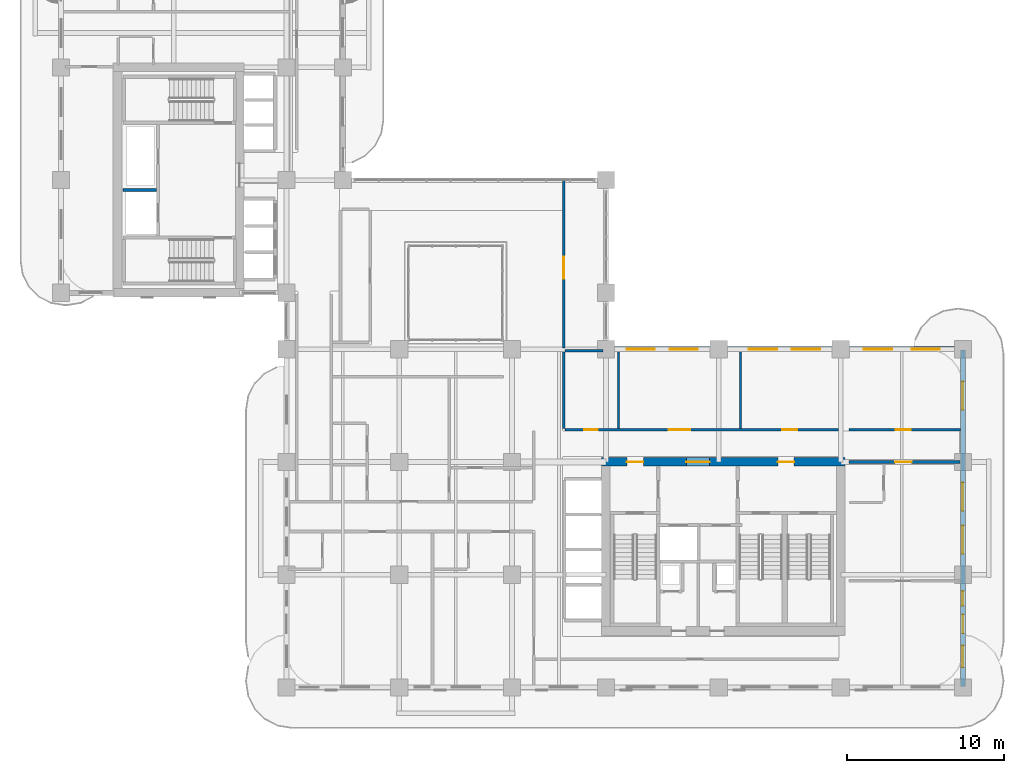
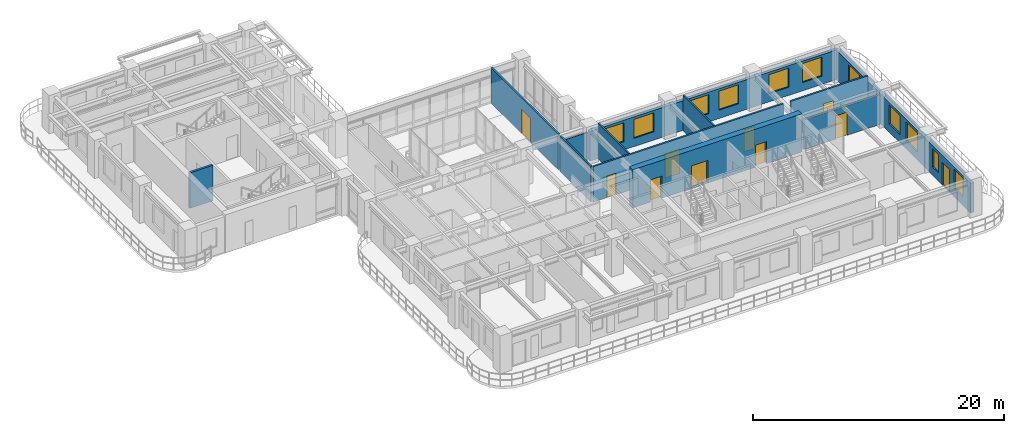
# One storey, part 15 of 22: 12 walls, 11 windows, 10 doors, 21 openings.
"""IFC4 building model written with IfcOpenShell, lengths in metres."""

import ifcopenshell
import ifcopenshell.guid

model = None  # the IFC model being written
_history = None  # IfcOwnerHistory: only IFC2X3 demands one
_inside = {}  # id of a spatial element -> (the spatial element, [elements in it])
_under = {}  # id of a project, library or spatial element -> (it, [spatial elements below it])
_declared = {}  # id of a project -> (the project, [libraries it declares])
_typed = {}  # id of a type object -> (the type object, [elements of that type])
_made_of = {}  # id of a material, layer set ... -> (it, [elements and type objects made of it])


def new_model(schema):
    """Start an empty IFC model of exactly this schema.

    Asked for "IFC4X3", IfcOpenShell would pick the latest addendum, in which some entities
    have other attributes; the version numbers below select the first issue.
    IFC2X3 requires an IfcOwnerHistory on every rooted entity: one is made here for all.
    """
    global model, _history
    if schema == "IFC4X3":
        model = ifcopenshell.file(schema_version=(4, 3, 0, 0))
    else:
        model = ifcopenshell.file(schema=schema)
    _inside.clear()
    _under.clear()
    _declared.clear()
    _typed.clear()
    _made_of.clear()
    _history = None
    if model.schema == "IFC2X3":
        org = make("IfcOrganization", Name="unknown")
        user = make(
            "IfcPersonAndOrganization",
            ThePerson=make("IfcPerson", FamilyName="unknown"),
            TheOrganization=org,
        )
        app = make(
            "IfcApplication",
            ApplicationDeveloper=org,
            Version="unknown",
            ApplicationFullName="unknown",
            ApplicationIdentifier="unknown",
        )
        _history = make(
            "IfcOwnerHistory",
            OwningUser=user,
            OwningApplication=app,
            ChangeAction="ADDED",
            CreationDate=0,
        )
    return model


def make(cls, **values):
    """One entity of the class cls with the attributes given. An attribute that is None is left unset."""
    return model.create_entity(
        cls, **{name: value for name, value in values.items() if value is not None}
    )


def rooted(cls, **values):
    """An entity with a GlobalId (a new one), such as an element, a storey or a relation."""
    return make(cls, GlobalId=ifcopenshell.guid.new(), OwnerHistory=_history, **values)


def si_unit(unit_type, name, prefix=None):
    """IfcSIUnit, for example si_unit("LENGTHUNIT", "METRE", prefix="MILLI")."""
    return make("IfcSIUnit", UnitType=unit_type, Prefix=prefix, Name=name)


def derived_unit(unit_type, elements):
    """IfcDerivedUnit: a product of units, each with its exponent."""
    return make(
        "IfcDerivedUnit",
        Elements=[
            make("IfcDerivedUnitElement", Unit=unit, Exponent=power)
            for unit, power in elements
        ],
        UnitType=unit_type,
    )


def assignment(units):
    """IfcUnitAssignment: the units of a project."""
    return None if units is None else make("IfcUnitAssignment", Units=units)


def point(xyz):
    """IfcCartesianPoint."""
    return None if xyz is None else make("IfcCartesianPoint", Coordinates=xyz)


def direction(xyz):
    """IfcDirection."""
    return None if xyz is None else make("IfcDirection", DirectionRatios=xyz)


def frame(location, z_axis=None, x_axis=None):
    """IfcAxis2Placement3D, a coordinate frame: its origin and axes. An axis left out is left unset."""
    return make(
        "IfcAxis2Placement3D",
        Location=point(location),
        Axis=direction(z_axis),
        RefDirection=direction(x_axis),
    )


def frame_2d(location, x_axis=None):
    """IfcAxis2Placement2D, a coordinate frame in the plane: its origin and x axis."""
    return make(
        "IfcAxis2Placement2D", Location=point(location), RefDirection=direction(x_axis)
    )


def origin():
    """The frame at (0, 0, 0) with its axes left unset."""
    return frame((0.0, 0.0, 0.0))


def place(relative_to, where):
    """IfcLocalPlacement: puts the frame where relative to a parent placement (None: the world)."""
    return make(
        "IfcLocalPlacement", PlacementRelTo=relative_to, RelativePlacement=where
    )


def context(
    kind, dimensions, precision=None, world=None, true_north=None, identifier=None
):
    """IfcGeometricRepresentationContext, for example the 3D "Model" context."""
    return make(
        "IfcGeometricRepresentationContext",
        ContextIdentifier=identifier,
        ContextType=kind,
        CoordinateSpaceDimension=dimensions,
        Precision=precision,
        WorldCoordinateSystem=world,
        TrueNorth=true_north,
    )


def subcontext(parent, identifier, kind, view, scale=None):
    """IfcGeometricRepresentationSubContext, for example "Body" below "Model"."""
    return make(
        "IfcGeometricRepresentationSubContext",
        ContextIdentifier=identifier,
        ContextType=kind,
        ParentContext=parent,
        TargetScale=scale,
        TargetView=view,
    )


def project(units=None, contexts=None):
    """IfcProject with its units and contexts."""
    return rooted(
        "IfcProject",
        Name="project",
        RepresentationContexts=contexts,
        UnitsInContext=assignment(units),
    )


def spatial(cls, under=None, at=None, **own):
    """A site, building, storey or space (cls), placed at a placement, below another one or the project."""
    s = rooted(cls, ObjectPlacement=at, **own)
    if under is not None:
        _under.setdefault(under.id(), (under, []))[1].append(s)
    return s


def profile(cls, at=None, kind="AREA", **sizes):
    """A parametric profile (cls). Its sizes go by their IFC names, for example OverallWidth=200.0."""
    return make(cls, ProfileType=kind, Position=at, **sizes)


def rectangle(**sizes):
    """IfcRectangleProfileDef."""
    return profile("IfcRectangleProfileDef", **sizes)


def extrude(swept, where, along, depth):
    """IfcExtrudedAreaSolid: the profile swept, set in the frame where, extruded along a direction by depth."""
    return make(
        "IfcExtrudedAreaSolid",
        SweptArea=swept,
        Position=where,
        ExtrudedDirection=direction(along),
        Depth=depth,
    )


def shape(context_of_items, identifier, shape_type, items):
    """IfcShapeRepresentation: the items that make up one representation, for example the "Body"."""
    return make(
        "IfcShapeRepresentation",
        ContextOfItems=context_of_items,
        RepresentationIdentifier=identifier,
        RepresentationType=shape_type,
        Items=items,
    )


def source(mapping_origin, context_of_items, identifier, shape_type, items):
    """IfcRepresentationMap: a shape defined once, which mapped items show again and again."""
    return make(
        "IfcRepresentationMap",
        MappingOrigin=mapping_origin,
        MappedRepresentation=shape(context_of_items, identifier, shape_type, items),
    )


def transform(
    local_origin,
    x_axis=None,
    y_axis=None,
    z_axis=None,
    scale=None,
    scale2=None,
    scale3=None,
    uniform=True,
):
    """IfcCartesianTransformationOperator3D, or its non-uniform kind. x_axis, y_axis, z_axis: its Axis1, 2, 3."""
    if uniform:
        return make(
            "IfcCartesianTransformationOperator3D",
            Axis1=direction(x_axis),
            Axis2=direction(y_axis),
            LocalOrigin=point(local_origin),
            Scale=scale,
            Axis3=direction(z_axis),
        )
    return make(
        "IfcCartesianTransformationOperator3DnonUniform",
        Axis1=direction(x_axis),
        Axis2=direction(y_axis),
        LocalOrigin=point(local_origin),
        Scale=scale,
        Axis3=direction(z_axis),
        Scale2=scale2,
        Scale3=scale3,
    )


def mapped(mapping_source, mapping_target):
    """IfcMappedItem: shows the shape of a source again, moved by a transform."""
    return make(
        "IfcMappedItem", MappingSource=mapping_source, MappingTarget=mapping_target
    )


def material(Name=None, Category=None):
    """IfcMaterial."""
    return make("IfcMaterial", Name=Name, Category=Category)


def layer(
    of_material, thickness, ventilated=None, Name=None, Category=None, Priority=None
):
    """IfcMaterialLayer: one layer of a wall or slab, of a material (None: an air gap)."""
    return make(
        "IfcMaterialLayer",
        Material=of_material,
        LayerThickness=thickness,
        IsVentilated=ventilated,
        Name=Name,
        Category=Category,
        Priority=Priority,
    )


def layer_set(layers, Name=None):
    """IfcMaterialLayerSet."""
    return make("IfcMaterialLayerSet", MaterialLayers=layers, LayerSetName=Name)


def made_of(thing, what):
    """Note that an element or type object is made of a material, layer set ...; save() writes the relation."""
    if what is not None:
        _made_of.setdefault(what.id(), (what, []))[1].append(thing)
    return thing


def type_object(cls, material=None, **own):
    """A type object (cls), such as IfcWallType, which elements share."""
    return made_of(rooted(cls, **own), material)


def type_shapes(of_type, sources):
    """Give a type object the sources (RepresentationMaps) that its elements show as mapped items."""
    of_type.RepresentationMaps = sources


def element(
    cls,
    number,
    at=None,
    inside=None,
    cuts=None,
    type_object=None,
    material=None,
    context=None,
    identifier="Body",
    shape_type=None,
    held_by="IfcProductDefinitionShape",
    body=None,
    shapes=None,
    **own,
):
    """One element of the class cls, such as IfcWall. Its Tag is "e" and its number.

    at: its placement. inside: the storey or other place that contains it. cuts: it is an
    opening in that element (IfcRelVoidsElement). A single representation is given by context,
    identifier, shape_type and body (its items); several are given by shapes. held_by: the class
    of the entity that holds the representations. save() writes the other relations.
    """
    e = rooted(cls, Tag="e%d" % number, ObjectPlacement=at, **own)
    if body is not None:
        shapes = [shape(context, identifier, shape_type, body)]
    if shapes is not None:
        e.Representation = make(held_by, Representations=shapes)
    if inside is not None:
        _inside.setdefault(inside.id(), (inside, []))[1].append(e)
    if cuts is not None:
        rooted(
            "IfcRelVoidsElement", RelatingBuildingElement=cuts, RelatedOpeningElement=e
        )
    if type_object is not None:
        _typed.setdefault(type_object.id(), (type_object, []))[1].append(e)
    return made_of(e, material)


def fill(opening, filler):
    """IfcRelFillsElement: the door or window that sits in an opening."""
    return rooted(
        "IfcRelFillsElement",
        RelatingOpeningElement=opening,
        RelatedBuildingElement=filler,
    )


def aggregate(whole, parts):
    """IfcRelAggregates: a whole, such as a stair, and the parts it consists of."""
    return rooted("IfcRelAggregates", RelatingObject=whole, RelatedObjects=parts)


def save(model, path):
    """Write the relations noted so far, then the file.

    IfcRelAggregates (storeys below a building ...), IfcRelContainedInSpatialStructure (elements
    in a storey), IfcRelDefinesByType, IfcRelAssociatesMaterial and IfcRelDeclares: one each for
    every whole, place, type object, material and project.
    """
    for whole, parts in _under.values():
        aggregate(whole, parts)
    for where, things in _inside.values():
        rooted(
            "IfcRelContainedInSpatialStructure",
            RelatedElements=things,
            RelatingStructure=where,
        )
    for kind, things in _typed.values():
        rooted("IfcRelDefinesByType", RelatedObjects=things, RelatingType=kind)
    for what, things in _made_of.values():
        rooted("IfcRelAssociatesMaterial", RelatedObjects=things, RelatingMaterial=what)
    for by, libraries in _declared.values():
        rooted("IfcRelDeclares", RelatingContext=by, RelatedDefinitions=libraries)
    model.write(path)


model = new_model("IFC4")

# Units and contexts
model_context = context("Model", 3, precision=1e-05, world=origin(), true_north=direction((0.0, 1.0)))
body_context = subcontext(model_context, "Body", "Model", "MODEL_VIEW")
ifc_project = project(units=[si_unit("LENGTHUNIT", "METRE"), si_unit("AREAUNIT", "SQUARE_METRE"), si_unit("VOLUMEUNIT", "CUBIC_METRE"), si_unit("PLANEANGLEUNIT", "RADIAN"), si_unit("MASSUNIT", "GRAM", prefix="KILO"), si_unit("THERMODYNAMICTEMPERATUREUNIT", "KELVIN"), si_unit("POWERUNIT", "WATT"), derived_unit("THERMALTRANSMITTANCEUNIT", [(si_unit("POWERUNIT", "WATT"), 1), (si_unit("AREAUNIT", "SQUARE_METRE"), -1), (si_unit("THERMODYNAMICTEMPERATUREUNIT", "KELVIN"), -1)])], contexts=[model_context])

# Site, building, storey
site_placement = place(None, origin())
site = spatial("IfcSite", under=ifc_project, at=site_placement, CompositionType="ELEMENT")
building_placement = place(site_placement, origin())
building = spatial("IfcBuilding", under=site, at=building_placement, Name="Zahravan Archway Hotel and Residences", CompositionType="ELEMENT")
storey_placement = place(building_placement, frame((0.0, 0.0, 91.60009765625)))
storey = spatial("IfcBuildingStorey", under=building, at=storey_placement, Name="L22", CompositionType="ELEMENT", Elevation=91.60009765625)

# Wall, openings, doors
ifc_material_1 = material(Name="Concrete C70/85", Category="concrete")
ifc_layer_1 = layer(ifc_material_1, 0.550048828125, Name="Concrete C70/85", Category="concrete")
ifc_layer_set_1 = layer_set([ifc_layer_1], Name="Concrete C70/85")
wall_type_1 = type_object("IfcWallType", Name="CW-CORE-550", PredefinedType="SHEAR", material=ifc_layer_set_1)
wall_1_placement = place(storey_placement, frame((34.52490234375, 14.39990234375, 0.0), z_axis=(0.0, 0.0, 1.0), x_axis=(1.0, 0.0, 0.0)))
wall_1 = element("IfcWall", 1, at=wall_1_placement, inside=storey, type_object=wall_type_1, Name="L22 Core A Shear N Wall 550 mm", PredefinedType="SHEAR", context=body_context, shape_type="SweptSolid", body=[
    extrude(rectangle(XDim=15.550048828125, YDim=0.550048828125, at=frame_2d((7.77490234375, 0.0))), origin(), (0.0, 0.0, 1.0), 3.699951171875),
])
opening_1_placement = place(wall_1_placement, frame((5.405029296875, 0.0, 0.0)))
opening_1 = element("IfcOpeningElement", 2, at=opening_1_placement, cuts=wall_1, Name="Opening FD-L1", PredefinedType="OPENING", context=body_context, shape_type="SweptSolid", body=[
    extrude(rectangle(XDim=1.5, YDim=2.199951171875, at=frame_2d((0.75, 1.10009765625))), frame((0.0, 0.28515625, 0.0), z_axis=(0.0, -1.0, 0.0), x_axis=(1.0, 0.0, 0.0)), (0.0, 0.0, 1.0), 0.570068359375),
])
opening_2_placement = place(wall_1_placement, frame((1.6201171875, 0.0, 0.0)))
opening_2 = element("IfcOpeningElement", 3, at=opening_2_placement, cuts=wall_1, Name="Opening FD-L2", PredefinedType="OPENING", context=body_context, shape_type="SweptSolid", body=[
    extrude(rectangle(XDim=1.050048828125, YDim=2.14990234375, at=frame_2d((0.52490234375, 1.074951171875))), frame((0.0, 0.28515625, 0.0), z_axis=(0.0, -1.0, 0.0), x_axis=(1.0, 0.0, 0.0)), (0.0, 0.0, 1.0), 0.570068359375),
])
opening_3_placement = place(wall_1_placement, frame((11.25, 0.0, 0.0)))
opening_3 = element("IfcOpeningElement", 4, at=opening_3_placement, cuts=wall_1, Name="Opening FD-L2", PredefinedType="OPENING", context=body_context, shape_type="SweptSolid", body=[
    extrude(rectangle(XDim=1.050048828125, YDim=2.14990234375, at=frame_2d((0.52490234375, 1.074951171875))), frame((0.0, 0.28515625, 0.0), z_axis=(0.0, -1.0, 0.0), x_axis=(1.0, 0.0, 0.0)), (0.0, 0.0, 1.0), 0.570068359375),
])
ifc_material_2 = material(Name="Fire-Rated Painted Steel", Category="steel")
door_type_1 = type_object("IfcDoorType", Name="FD-LOBBY-1100", OperationType="NOTDEFINED", PredefinedType="DOOR", material=ifc_material_2)
shared_shape_1 = source(origin(), body_context, "Body", "SweptSolid", [
    extrude(rectangle(XDim=1.050048828125, YDim=2.14990234375, at=frame_2d((0.52490234375, 1.074951171875))), frame((0.0, 0.02490234375, 0.0), z_axis=(0.0, -1.0, 0.0), x_axis=(1.0, 0.0, 0.0)), (0.0, 0.0, 1.0), 0.050048828125),
])
type_shapes(door_type_1, [shared_shape_1])
door_1_placement = place(opening_2_placement, origin())
door_1 = element("IfcDoor", 5, at=door_1_placement, inside=storey, type_object=door_type_1, Name="L22 Core A West Stair Lobby Door", OperationType="SINGLE_SWING_LEFT", OverallHeight=2.14990234375, OverallWidth=1.050048828125, PredefinedType="DOOR", context=body_context, shape_type="MappedRepresentation", body=[
    mapped(shared_shape_1, transform((0.0, 0.0, 0.0), scale=1.0)),
])
fill(opening_2, door_1)
door_2_placement = place(opening_3_placement, origin())
door_2 = element("IfcDoor", 6, at=door_2_placement, inside=storey, type_object=door_type_1, Name="L22 Core A East Stair Lobby Door", OperationType="SINGLE_SWING_RIGHT", OverallHeight=2.14990234375, OverallWidth=1.050048828125, PredefinedType="DOOR", context=body_context, shape_type="MappedRepresentation", body=[
    mapped(shared_shape_1, transform((0.0, 0.0, 0.0), scale=1.0)),
])
fill(opening_3, door_2)
door_type_2 = type_object("IfcDoorType", Name="FD-LOBBY-1500", OperationType="DOUBLE_DOOR_SINGLE_SWING", PredefinedType="DOOR", material=ifc_material_2)
shared_shape_2 = source(origin(), body_context, "Body", "SweptSolid", [
    extrude(rectangle(XDim=1.5, YDim=2.199951171875, at=frame_2d((0.75, 1.10009765625))), frame((0.0, 0.02490234375, 0.0), z_axis=(0.0, -1.0, 0.0), x_axis=(1.0, 0.0, 0.0)), (0.0, 0.0, 1.0), 0.050048828125),
])
type_shapes(door_type_2, [shared_shape_2])
door_3_placement = place(opening_1_placement, origin())
door_3 = element("IfcDoor", 7, at=door_3_placement, inside=storey, type_object=door_type_2, Name="L22 Core A FSAE Lobby Main Door", OperationType="DOUBLE_DOOR_SINGLE_SWING", OverallHeight=2.199951171875, OverallWidth=1.5, PredefinedType="DOOR", context=body_context, shape_type="MappedRepresentation", body=[
    mapped(shared_shape_2, transform((0.0, 0.0, 0.0), scale=1.0)),
])
fill(opening_1, door_3)

# Wall, openings, door, windows
ifc_material_3 = material(Name="Agra Buff Sandstone & Insulated Backup", Category="masonry")
ifc_layer_2 = layer(ifc_material_3, 0.320068359375, Name="Agra Buff Sandstone & Insulated Backup", Category="masonry")
ifc_layer_set_2 = layer_set([ifc_layer_2], Name="Agra Buff Sandstone & Insulated Backup")
wall_type_2 = type_object("IfcWallType", Name="EW-SAND-320", PredefinedType="SOLIDWALL", material=ifc_layer_set_2)
wall_2_placement = place(storey_placement, frame((57.60009765625, 0.050048828125, 0.0), z_axis=(0.0, 0.0, 1.0), x_axis=(0.0, 1.0, 0.0)))
wall_2 = element("IfcWall", 8, at=wall_2_placement, inside=storey, type_object=wall_type_2, Name="L22 Exterior Sandstone Wall WA-E", PredefinedType="SOLIDWALL", context=body_context, shape_type="SweptSolid", body=[
    extrude(rectangle(XDim=21.5, YDim=0.320068359375, at=frame_2d((10.75, 0.0))), origin(), (0.0, 0.0, 1.0), 2.885009765625),
])
opening_4_placement = place(wall_2_placement, frame((3.39990234375, 0.0, 0.0)))
opening_4 = element("IfcOpeningElement", 9, at=opening_4_placement, cuts=wall_2, Name="Opening ED-BL1", PredefinedType="OPENING", context=body_context, shape_type="SweptSolid", body=[
    extrude(rectangle(XDim=1.199951171875, YDim=2.199951171875, at=frame_2d((0.60009765625, 1.10009765625))), frame((0.0, 0.169921875, 0.0), z_axis=(0.0, -1.0, 0.0), x_axis=(1.0, 0.0, 0.0)), (0.0, 0.0, 1.0), 0.340087890625),
])
opening_5_placement = place(wall_2_placement, frame((1.22509765625, 0.0, 0.800048828125)))
opening_5 = element("IfcOpeningElement", 10, at=opening_5_placement, cuts=wall_2, Name="Opening W-03", PredefinedType="OPENING", context=body_context, shape_type="SweptSolid", body=[
    extrude(rectangle(XDim=1.39990234375, YDim=1.85009765625, at=frame_2d((0.699951171875, 0.925048828125))), frame((0.0, 0.169921875, 0.0), z_axis=(0.0, -1.0, 0.0), x_axis=(1.0, 0.0, 0.0)), (0.0, 0.0, 1.0), 0.340087890625),
])
opening_6_placement = place(wall_2_placement, frame((5.14990234375, 0.0, 0.800048828125)))
opening_6 = element("IfcOpeningElement", 11, at=opening_6_placement, cuts=wall_2, Name="Opening W-04", PredefinedType="OPENING", context=body_context, shape_type="SweptSolid", body=[
    extrude(rectangle(XDim=0.949951171875, YDim=1.75, at=frame_2d((0.47509765625, 0.875))), frame((0.0, 0.169921875, 0.0), z_axis=(0.0, -1.0, 0.0), x_axis=(1.0, 0.0, 0.0)), (0.0, 0.0, 1.0), 0.340087890625),
])
opening_7_placement = place(wall_2_placement, frame((8.47509765625, 0.0, 0.800048828125)))
opening_7 = element("IfcOpeningElement", 12, at=opening_7_placement, cuts=wall_2, Name="Opening W-02", PredefinedType="OPENING", context=body_context, shape_type="SweptSolid", body=[
    extrude(rectangle(XDim=1.800048828125, YDim=1.85009765625, at=frame_2d((0.89990234375, 0.925048828125))), frame((0.0, 0.169921875, 0.0), z_axis=(0.0, -1.0, 0.0), x_axis=(1.0, 0.0, 0.0)), (0.0, 0.0, 1.0), 0.340087890625),
])
opening_8_placement = place(wall_2_placement, frame((11.22509765625, 0.0, 0.800048828125)))
opening_8 = element("IfcOpeningElement", 13, at=opening_8_placement, cuts=wall_2, Name="Opening W-02", PredefinedType="OPENING", context=body_context, shape_type="SweptSolid", body=[
    extrude(rectangle(XDim=1.800048828125, YDim=1.85009765625, at=frame_2d((0.89990234375, 0.925048828125))), frame((0.0, 0.169921875, 0.0), z_axis=(0.0, -1.0, 0.0), x_axis=(1.0, 0.0, 0.0)), (0.0, 0.0, 1.0), 0.340087890625),
])
opening_9_placement = place(wall_2_placement, frame((17.678955078125, 0.0, 0.800048828125)))
opening_9 = element("IfcOpeningElement", 14, at=opening_9_placement, cuts=wall_2, Name="Opening W-02", PredefinedType="OPENING", context=body_context, shape_type="SweptSolid", body=[
    extrude(rectangle(XDim=1.800048828125, YDim=1.85009765625, at=frame_2d((0.89990234375, 0.925048828125))), frame((0.0, 0.169921875, 0.0), z_axis=(0.0, -1.0, 0.0), x_axis=(1.0, 0.0, 0.0)), (0.0, 0.0, 1.0), 0.340087890625),
])
ifc_material_4 = material(Name="Bronze-Anodized Glazed Aluminium", Category="aluminium")
door_type_3 = type_object("IfcDoorType", Name="ED-BALC-1200", OperationType="SLIDING_TO_LEFT", PredefinedType="DOOR", material=ifc_material_4)
shared_shape_3 = source(origin(), body_context, "Body", "SweptSolid", [
    extrude(rectangle(XDim=1.199951171875, YDim=2.199951171875, at=frame_2d((0.60009765625, 1.10009765625))), frame((0.0, 0.02490234375, 0.0), z_axis=(0.0, -1.0, 0.0), x_axis=(1.0, 0.0, 0.0)), (0.0, 0.0, 1.0), 0.050048828125),
])
type_shapes(door_type_3, [shared_shape_3])
door_4_placement = place(opening_4_placement, origin())
door_4 = element("IfcDoor", 15, at=door_4_placement, inside=storey, type_object=door_type_3, Name="L22 Outdoor Access Sliding Door (SLB-BAL-L22-EA)", OperationType="SLIDING_TO_LEFT", OverallHeight=2.199951171875, OverallWidth=1.199951171875, PredefinedType="DOOR", context=body_context, shape_type="MappedRepresentation", body=[
    mapped(shared_shape_3, transform((0.0, 0.0, 0.0), scale=1.0)),
])
fill(opening_4, door_4)
ifc_material_5 = material(Name="Bronze-Anodized Thermal-Break Aluminium & Low-E Glass", Category="aluminium")
window_type_1 = type_object("IfcWindowType", Name="WIN-TWR-1400", PartitioningType="SINGLE_PANEL", PredefinedType="WINDOW", material=ifc_material_5)
shared_shape_4 = source(origin(), body_context, "Body", "SweptSolid", [
    extrude(rectangle(XDim=1.39990234375, YDim=1.85009765625, at=frame_2d((0.699951171875, 0.925048828125))), frame((0.0, 0.030029296875, 0.0), z_axis=(0.0, -1.0, 0.0), x_axis=(1.0, 0.0, 0.0)), (0.0, 0.0, 1.0), 0.06005859375),
])
type_shapes(window_type_1, [shared_shape_4])
window_1_placement = place(opening_5_placement, origin())
window_1 = element("IfcWindow", 16, at=window_1_placement, inside=storey, type_object=window_type_1, Name="L22 Loggia Window 11", OverallHeight=1.85009765625, OverallWidth=1.39990234375, PartitioningType="SINGLE_PANEL", PredefinedType="WINDOW", context=body_context, shape_type="MappedRepresentation", body=[
    mapped(shared_shape_4, transform((0.0, 0.0, 0.0), scale=1.0)),
])
fill(opening_5, window_1)
window_type_2 = type_object("IfcWindowType", Name="WIN-NAR-950", PartitioningType="SINGLE_PANEL", PredefinedType="WINDOW", material=ifc_material_5)
shared_shape_5 = source(origin(), body_context, "Body", "SweptSolid", [
    extrude(rectangle(XDim=0.949951171875, YDim=1.75, at=frame_2d((0.47509765625, 0.875))), frame((0.0, 0.030029296875, 0.0), z_axis=(0.0, -1.0, 0.0), x_axis=(1.0, 0.0, 0.0)), (0.0, 0.0, 1.0), 0.06005859375),
])
type_shapes(window_type_2, [shared_shape_5])
window_2_placement = place(opening_6_placement, origin())
window_2 = element("IfcWindow", 17, at=window_2_placement, inside=storey, type_object=window_type_2, Name="L22 Loggia Window 12", OverallHeight=1.75, OverallWidth=0.949951171875, PartitioningType="SINGLE_PANEL", PredefinedType="WINDOW", context=body_context, shape_type="MappedRepresentation", body=[
    mapped(shared_shape_5, transform((0.0, 0.0, 0.0), scale=1.0)),
])
fill(opening_6, window_2)
window_type_3 = type_object("IfcWindowType", Name="WIN-TWR-1800", PartitioningType="DOUBLE_PANEL_VERTICAL", PredefinedType="WINDOW", material=ifc_material_5)
shared_shape_6 = source(origin(), body_context, "Body", "SweptSolid", [
    extrude(rectangle(XDim=1.800048828125, YDim=1.85009765625, at=frame_2d((0.89990234375, 0.925048828125))), frame((0.0, 0.030029296875, 0.0), z_axis=(0.0, -1.0, 0.0), x_axis=(1.0, 0.0, 0.0)), (0.0, 0.0, 1.0), 0.06005859375),
])
type_shapes(window_type_3, [shared_shape_6])
window_3_placement = place(opening_7_placement, origin())
window_3 = element("IfcWindow", 18, at=window_3_placement, inside=storey, type_object=window_type_3, Name="L22 Loggia Window 13", OverallHeight=1.85009765625, OverallWidth=1.800048828125, PartitioningType="DOUBLE_PANEL_VERTICAL", PredefinedType="WINDOW", context=body_context, shape_type="MappedRepresentation", body=[
    mapped(shared_shape_6, transform((0.0, 0.0, 0.0), scale=1.0)),
])
fill(opening_7, window_3)
window_4_placement = place(opening_8_placement, origin())
window_4 = element("IfcWindow", 19, at=window_4_placement, inside=storey, type_object=window_type_3, Name="L22 Loggia Window 14", OverallHeight=1.85009765625, OverallWidth=1.800048828125, PartitioningType="DOUBLE_PANEL_VERTICAL", PredefinedType="WINDOW", context=body_context, shape_type="MappedRepresentation", body=[
    mapped(shared_shape_6, transform((0.0, 0.0, 0.0), scale=1.0)),
])
fill(opening_8, window_4)
window_5_placement = place(opening_9_placement, origin())
window_5 = element("IfcWindow", 20, at=window_5_placement, inside=storey, type_object=window_type_3, Name="L22 Loggia Window 15", OverallHeight=1.85009765625, OverallWidth=1.800048828125, PartitioningType="DOUBLE_PANEL_VERTICAL", PredefinedType="WINDOW", context=body_context, shape_type="MappedRepresentation", body=[
    mapped(shared_shape_6, transform((0.0, 0.0, 0.0), scale=1.0)),
])
fill(opening_9, window_5)

# Wall, openings, windows
wall_3_placement = place(storey_placement, frame((34.800048828125, 21.60009765625, 0.0), z_axis=(0.0, 0.0, 1.0), x_axis=(1.0, 0.0, 0.0)))
wall_3 = element("IfcWall", 21, at=wall_3_placement, inside=storey, type_object=wall_type_2, Name="L22 Exterior Sandstone Wall WA-NE", PredefinedType="SOLIDWALL", context=body_context, shape_type="SweptSolid", body=[
    extrude(rectangle(XDim=22.800048828125, YDim=0.320068359375, at=frame_2d((11.39990234375, 0.0))), origin(), (0.0, 0.0, 1.0), 2.885009765625),
])
opening_10_placement = place(wall_3_placement, frame((1.3310546875, 0.0, 0.800048828125)))
opening_10 = element("IfcOpeningElement", 22, at=opening_10_placement, cuts=wall_3, Name="Opening W-02", PredefinedType="OPENING", context=body_context, shape_type="SweptSolid", body=[
    extrude(rectangle(XDim=1.800048828125, YDim=1.85009765625, at=frame_2d((0.89990234375, 0.925048828125))), frame((0.0, 0.169921875, 0.0), z_axis=(0.0, -1.0, 0.0), x_axis=(1.0, 0.0, 0.0)), (0.0, 0.0, 1.0), 0.340087890625),
])
opening_11_placement = place(wall_3_placement, frame((4.076904296875, 0.0, 0.800048828125)))
opening_11 = element("IfcOpeningElement", 23, at=opening_11_placement, cuts=wall_3, Name="Opening W-02", PredefinedType="OPENING", context=body_context, shape_type="SweptSolid", body=[
    extrude(rectangle(XDim=1.800048828125, YDim=1.85009765625, at=frame_2d((0.89990234375, 0.925048828125))), frame((0.0, 0.169921875, 0.0), z_axis=(0.0, -1.0, 0.0), x_axis=(1.0, 0.0, 0.0)), (0.0, 0.0, 1.0), 0.340087890625),
])
opening_12_placement = place(wall_3_placement, frame((9.131103515625, 0.0, 0.800048828125)))
opening_12 = element("IfcOpeningElement", 24, at=opening_12_placement, cuts=wall_3, Name="Opening W-02", PredefinedType="OPENING", context=body_context, shape_type="SweptSolid", body=[
    extrude(rectangle(XDim=1.800048828125, YDim=1.85009765625, at=frame_2d((0.89990234375, 0.925048828125))), frame((0.0, 0.169921875, 0.0), z_axis=(0.0, -1.0, 0.0), x_axis=(1.0, 0.0, 0.0)), (0.0, 0.0, 1.0), 0.340087890625),
])
opening_13_placement = place(wall_3_placement, frame((11.876953125, 0.0, 0.800048828125)))
opening_13 = element("IfcOpeningElement", 25, at=opening_13_placement, cuts=wall_3, Name="Opening W-02", PredefinedType="OPENING", context=body_context, shape_type="SweptSolid", body=[
    extrude(rectangle(XDim=1.800048828125, YDim=1.85009765625, at=frame_2d((0.89990234375, 0.925048828125))), frame((0.0, 0.169921875, 0.0), z_axis=(0.0, -1.0, 0.0), x_axis=(1.0, 0.0, 0.0)), (0.0, 0.0, 1.0), 0.340087890625),
])
opening_14_placement = place(wall_3_placement, frame((16.47509765625, 0.0, 0.800048828125)))
opening_14 = element("IfcOpeningElement", 26, at=opening_14_placement, cuts=wall_3, Name="Opening W-02", PredefinedType="OPENING", context=body_context, shape_type="SweptSolid", body=[
    extrude(rectangle(XDim=1.800048828125, YDim=1.85009765625, at=frame_2d((0.89990234375, 0.925048828125))), frame((0.0, 0.169921875, 0.0), z_axis=(0.0, -1.0, 0.0), x_axis=(1.0, 0.0, 0.0)), (0.0, 0.0, 1.0), 0.340087890625),
])
opening_15_placement = place(wall_3_placement, frame((19.52490234375, 0.0, 0.800048828125)))
opening_15 = element("IfcOpeningElement", 27, at=opening_15_placement, cuts=wall_3, Name="Opening W-02", PredefinedType="OPENING", context=body_context, shape_type="SweptSolid", body=[
    extrude(rectangle(XDim=1.800048828125, YDim=1.85009765625, at=frame_2d((0.89990234375, 0.925048828125))), frame((0.0, 0.169921875, 0.0), z_axis=(0.0, -1.0, 0.0), x_axis=(1.0, 0.0, 0.0)), (0.0, 0.0, 1.0), 0.340087890625),
])
window_6_placement = place(opening_10_placement, origin())
window_6 = element("IfcWindow", 28, at=window_6_placement, inside=storey, type_object=window_type_3, Name="L22 Loggia Window 16", OverallHeight=1.85009765625, OverallWidth=1.800048828125, PartitioningType="DOUBLE_PANEL_VERTICAL", PredefinedType="WINDOW", context=body_context, shape_type="MappedRepresentation", body=[
    mapped(shared_shape_6, transform((0.0, 0.0, 0.0), scale=1.0)),
])
fill(opening_10, window_6)
window_7_placement = place(opening_11_placement, origin())
window_7 = element("IfcWindow", 29, at=window_7_placement, inside=storey, type_object=window_type_3, Name="L22 Loggia Window 17", OverallHeight=1.85009765625, OverallWidth=1.800048828125, PartitioningType="DOUBLE_PANEL_VERTICAL", PredefinedType="WINDOW", context=body_context, shape_type="MappedRepresentation", body=[
    mapped(shared_shape_6, transform((0.0, 0.0, 0.0), scale=1.0)),
])
fill(opening_11, window_7)
window_8_placement = place(opening_12_placement, origin())
window_8 = element("IfcWindow", 30, at=window_8_placement, inside=storey, type_object=window_type_3, Name="L22 Loggia Window 18", OverallHeight=1.85009765625, OverallWidth=1.800048828125, PartitioningType="DOUBLE_PANEL_VERTICAL", PredefinedType="WINDOW", context=body_context, shape_type="MappedRepresentation", body=[
    mapped(shared_shape_6, transform((0.0, 0.0, 0.0), scale=1.0)),
])
fill(opening_12, window_8)
window_9_placement = place(opening_13_placement, origin())
window_9 = element("IfcWindow", 31, at=window_9_placement, inside=storey, type_object=window_type_3, Name="L22 Loggia Window 19", OverallHeight=1.85009765625, OverallWidth=1.800048828125, PartitioningType="DOUBLE_PANEL_VERTICAL", PredefinedType="WINDOW", context=body_context, shape_type="MappedRepresentation", body=[
    mapped(shared_shape_6, transform((0.0, 0.0, 0.0), scale=1.0)),
])
fill(opening_13, window_9)
window_10_placement = place(opening_14_placement, origin())
window_10 = element("IfcWindow", 32, at=window_10_placement, inside=storey, type_object=window_type_3, Name="L22 Loggia Window 20", OverallHeight=1.85009765625, OverallWidth=1.800048828125, PartitioningType="DOUBLE_PANEL_VERTICAL", PredefinedType="WINDOW", context=body_context, shape_type="MappedRepresentation", body=[
    mapped(shared_shape_6, transform((0.0, 0.0, 0.0), scale=1.0)),
])
fill(opening_14, window_10)
window_11_placement = place(opening_15_placement, origin())
window_11 = element("IfcWindow", 33, at=window_11_placement, inside=storey, type_object=window_type_3, Name="L22 Loggia Window 21", OverallHeight=1.85009765625, OverallWidth=1.800048828125, PartitioningType="DOUBLE_PANEL_VERTICAL", PredefinedType="WINDOW", context=body_context, shape_type="MappedRepresentation", body=[
    mapped(shared_shape_6, transform((0.0, 0.0, 0.0), scale=1.0)),
])
fill(opening_15, window_11)

# Wall, openings, doors
ifc_material_6 = material(Name="Fire-Rated Gypsum & Concrete Block", Category="concrete")
ifc_layer_3 = layer(ifc_material_6, 0.159912109375, Name="Fire-Rated Gypsum & Concrete Block", Category="concrete")
ifc_layer_set_3 = layer_set([ifc_layer_3], Name="Fire-Rated Gypsum & Concrete Block")
wall_type_3 = type_object("IfcWallType", Name="PW-CORR-160", PredefinedType="PARTITIONING", material=ifc_layer_set_3)
wall_4_placement = place(storey_placement, frame((32.18994140625, 16.449951171875, 0.0), z_axis=(0.0, 0.0, 1.0), x_axis=(1.0, 0.0, 0.0)))
wall_4 = element("IfcWall", 34, at=wall_4_placement, inside=storey, type_object=wall_type_3, Name="L22 Partition WA-FN", PredefinedType="PARTITIONING", context=body_context, shape_type="SweptSolid", body=[
    extrude(rectangle(XDim=17.469970703125, YDim=0.159912109375, at=frame_2d((8.73486328125, 0.0))), origin(), (0.0, 0.0, 1.0), 3.449951171875),
])
opening_16_placement = place(wall_4_placement, frame((1.235107421875, 0.0, 0.0)))
opening_16 = element("IfcOpeningElement", 35, at=opening_16_placement, cuts=wall_4, Name="Opening D-B1", PredefinedType="OPENING", context=body_context, shape_type="SweptSolid", body=[
    extrude(rectangle(XDim=0.85009765625, YDim=2.10009765625, at=frame_2d((0.425048828125, 1.050048828125))), frame((0.0, 0.08984375, 0.0), z_axis=(0.0, -1.0, 0.0), x_axis=(1.0, 0.0, 0.0)), (0.0, 0.0, 1.0), 0.179931640625),
])
opening_17_placement = place(wall_4_placement, frame((6.610107421875, 0.0, 0.0)))
opening_17 = element("IfcOpeningElement", 36, at=opening_17_placement, cuts=wall_4, Name="Opening D-P1", PredefinedType="OPENING", context=body_context, shape_type="SweptSolid", body=[
    extrude(rectangle(XDim=1.39990234375, YDim=2.35009765625, at=frame_2d((0.699951171875, 1.175048828125))), frame((0.0, 0.08984375, 0.0), z_axis=(0.0, -1.0, 0.0), x_axis=(1.0, 0.0, 0.0)), (0.0, 0.0, 1.0), 0.179931640625),
])
opening_18_placement = place(wall_4_placement, frame((13.885009765625, 0.0, 0.0)))
opening_18 = element("IfcOpeningElement", 37, at=opening_18_placement, cuts=wall_4, Name="Opening D-I1", PredefinedType="OPENING", context=body_context, shape_type="SweptSolid", body=[
    extrude(rectangle(XDim=0.949951171875, YDim=2.14990234375, at=frame_2d((0.47509765625, 1.074951171875))), frame((0.0, 0.08984375, 0.0), z_axis=(0.0, -1.0, 0.0), x_axis=(1.0, 0.0, 0.0)), (0.0, 0.0, 1.0), 0.179931640625),
])
ifc_material_7 = material(Name="Hardwood Veneer Timber", Category="wood")
door_type_4 = type_object("IfcDoorType", Name="ID-BATH-850", OperationType="NOTDEFINED", PredefinedType="DOOR", material=ifc_material_7)
shared_shape_7 = source(origin(), body_context, "Body", "SweptSolid", [
    extrude(rectangle(XDim=0.85009765625, YDim=2.10009765625, at=frame_2d((0.425048828125, 1.050048828125))), frame((0.0, 0.02490234375, 0.0), z_axis=(0.0, -1.0, 0.0), x_axis=(1.0, 0.0, 0.0)), (0.0, 0.0, 1.0), 0.050048828125),
])
type_shapes(door_type_4, [shared_shape_7])
door_5_placement = place(opening_16_placement, origin())
door_5 = element("IfcDoor", 38, at=door_5_placement, inside=storey, type_object=door_type_4, Name="L22 Accessible WC Door", OperationType="SINGLE_SWING_RIGHT", OverallHeight=2.10009765625, OverallWidth=0.85009765625, PredefinedType="DOOR", context=body_context, shape_type="MappedRepresentation", body=[
    mapped(shared_shape_7, transform((0.0, 0.0, 0.0), scale=1.0)),
])
fill(opening_16, door_5)
door_type_5 = type_object("IfcDoorType", Name="ID-PUBLIC-1400", OperationType="DOUBLE_DOOR_SINGLE_SWING", PredefinedType="DOOR", material=ifc_material_4)
shared_shape_8 = source(origin(), body_context, "Body", "SweptSolid", [
    extrude(rectangle(XDim=1.39990234375, YDim=2.35009765625, at=frame_2d((0.699951171875, 1.175048828125))), frame((0.0, 0.02490234375, 0.0), z_axis=(0.0, -1.0, 0.0), x_axis=(1.0, 0.0, 0.0)), (0.0, 0.0, 1.0), 0.050048828125),
])
type_shapes(door_type_5, [shared_shape_8])
door_6_placement = place(opening_17_placement, origin())
door_6 = element("IfcDoor", 39, at=door_6_placement, inside=storey, type_object=door_type_5, Name="L22 Private Dining Door", OperationType="DOUBLE_DOOR_SINGLE_SWING", OverallHeight=2.35009765625, OverallWidth=1.39990234375, PredefinedType="DOOR", context=body_context, shape_type="MappedRepresentation", body=[
    mapped(shared_shape_8, transform((0.0, 0.0, 0.0), scale=1.0)),
])
fill(opening_17, door_6)
door_type_6 = type_object("IfcDoorType", Name="ID-INT-950", OperationType="NOTDEFINED", PredefinedType="DOOR", material=ifc_material_7)
shared_shape_9 = source(origin(), body_context, "Body", "SweptSolid", [
    extrude(rectangle(XDim=0.949951171875, YDim=2.14990234375, at=frame_2d((0.47509765625, 1.074951171875))), frame((0.0, 0.02490234375, 0.0), z_axis=(0.0, -1.0, 0.0), x_axis=(1.0, 0.0, 0.0)), (0.0, 0.0, 1.0), 0.050048828125),
])
type_shapes(door_type_6, [shared_shape_9])
door_7_placement = place(opening_18_placement, origin())
door_7 = element("IfcDoor", 40, at=door_7_placement, inside=storey, type_object=door_type_6, Name="L22 Quiet Musalla Door", OperationType="SINGLE_SWING_LEFT", OverallHeight=2.14990234375, OverallWidth=0.949951171875, PredefinedType="DOOR", context=body_context, shape_type="MappedRepresentation", body=[
    mapped(shared_shape_9, transform((0.0, 0.0, 0.0), scale=1.0)),
])
fill(opening_18, door_7)

# Wall, opening, door
wall_5_placement = place(storey_placement, frame((50.340087890625, 16.449951171875, 0.0), z_axis=(0.0, 0.0, 1.0), x_axis=(1.0, 0.0, 0.0)))
wall_5 = element("IfcWall", 41, at=wall_5_placement, inside=storey, type_object=wall_type_3, Name="L22 Partition EA-PN", PredefinedType="PARTITIONING", context=body_context, shape_type="SweptSolid", body=[
    extrude(rectangle(XDim=7.091796875, YDim=0.159912109375, at=frame_2d((3.5458984375, 0.0))), origin(), (0.0, 0.0, 1.0), 3.449951171875),
])
opening_19_placement = place(wall_5_placement, frame((2.985107421875, 0.0, 0.0)))
opening_19 = element("IfcOpeningElement", 42, at=opening_19_placement, cuts=wall_5, Name="Opening D-I1", PredefinedType="OPENING", context=body_context, shape_type="SweptSolid", body=[
    extrude(rectangle(XDim=0.949951171875, YDim=2.14990234375, at=frame_2d((0.47509765625, 1.074951171875))), frame((0.0, 0.08984375, 0.0), z_axis=(0.0, -1.0, 0.0), x_axis=(1.0, 0.0, 0.0)), (0.0, 0.0, 1.0), 0.179931640625),
])
door_8_placement = place(opening_19_placement, origin())
door_8 = element("IfcDoor", 43, at=door_8_placement, inside=storey, type_object=door_type_6, Name="L22 East Tea Kitchenette Door", OperationType="SINGLE_SWING_LEFT", OverallHeight=2.14990234375, OverallWidth=0.949951171875, PredefinedType="DOOR", context=body_context, shape_type="MappedRepresentation", body=[
    mapped(shared_shape_9, transform((0.0, 0.0, 0.0), scale=1.0)),
])
fill(opening_19, door_8)

# Wall
ifc_layer_4 = layer(ifc_material_6, 0.199951171875, Name="Fire-Rated Gypsum & Concrete Block", Category="concrete")
ifc_layer_set_4 = layer_set([ifc_layer_4], Name="Fire-Rated Gypsum & Concrete Block")
wall_type_4 = type_object("IfcWallType", Name="PW-SHAFT-200", PredefinedType="PARTITIONING", material=ifc_layer_set_4)
wall_6_placement = place(storey_placement, frame((3.9599609375, 31.780029296875, 0.0), z_axis=(0.0, 0.0, 1.0), x_axis=(1.0, 0.0, 0.0)))
element("IfcWall", 44, at=wall_6_placement, inside=storey, type_object=wall_type_4, Name="L22 Partition CB-FL3N", PredefinedType="PARTITIONING", context=body_context, shape_type="SweptSolid", body=[
    extrude(rectangle(XDim=2.130126953125, YDim=0.199951171875, at=frame_2d((1.06494140625, 0.0))), origin(), (0.0, 0.0, 1.0), 3.449951171875),
])

# Wall, opening, door
ifc_material_8 = material(Name="Acoustic Stud Partition")
ifc_layer_5 = layer(ifc_material_8, 0.169921875, Name="Acoustic Stud Partition")
ifc_layer_set_5 = layer_set([ifc_layer_5], Name="Acoustic Stud Partition")
wall_type_5 = type_object("IfcWallType", Name="PW-UNIT-170", PredefinedType="PARTITIONING", material=ifc_layer_set_5)
wall_7_placement = place(storey_placement, frame((50.340087890625, 14.39990234375, 0.0), z_axis=(0.0, 0.0, 1.0), x_axis=(1.0, 0.0, 0.0)))
wall_7 = element("IfcWall", 45, at=wall_7_placement, inside=storey, type_object=wall_type_5, Name="L22 Partition EA-PS", PredefinedType="PARTITIONING", context=body_context, shape_type="SweptSolid", body=[
    extrude(rectangle(XDim=7.06982421875, YDim=0.169921875, at=frame_2d((3.534912109375, 0.0))), origin(), (0.0, 0.0, 1.0), 2.885009765625),
])
opening_20_placement = place(wall_7_placement, frame((2.93505859375, 0.0, 0.0)))
opening_20 = element("IfcOpeningElement", 46, at=opening_20_placement, cuts=wall_7, Name="Opening D-U1", PredefinedType="OPENING", context=body_context, shape_type="SweptSolid", body=[
    extrude(rectangle(XDim=1.050048828125, YDim=2.25, at=frame_2d((0.52490234375, 1.125))), frame((0.0, 0.094970703125, 0.0), z_axis=(0.0, -1.0, 0.0), x_axis=(1.0, 0.0, 0.0)), (0.0, 0.0, 1.0), 0.18994140625),
])
door_type_7 = type_object("IfcDoorType", Name="ID-UNIT-1050", OperationType="NOTDEFINED", PredefinedType="DOOR", material=ifc_material_7)
shared_shape_10 = source(origin(), body_context, "Body", "SweptSolid", [
    extrude(rectangle(XDim=1.050048828125, YDim=2.25, at=frame_2d((0.52490234375, 1.125))), frame((0.0, 0.02490234375, 0.0), z_axis=(0.0, -1.0, 0.0), x_axis=(1.0, 0.0, 0.0)), (0.0, 0.0, 1.0), 0.050048828125),
])
type_shapes(door_type_7, [shared_shape_10])
door_9_placement = place(opening_20_placement, origin())
door_9 = element("IfcDoor", 47, at=door_9_placement, inside=storey, type_object=door_type_7, Name="L22 East Suite Door", OperationType="SINGLE_SWING_RIGHT", OverallHeight=2.25, OverallWidth=1.050048828125, PredefinedType="DOOR", context=body_context, shape_type="MappedRepresentation", body=[
    mapped(shared_shape_10, transform((0.0, 0.0, 0.0), scale=1.0)),
])
fill(opening_20, door_9)

wall_8_placement = place(storey_placement, frame((32.10009765625, 21.669921875, 0.0), z_axis=(0.0, 0.0, 1.0), x_axis=(0.0, 1.0, 0.0)))
wall_8 = element("IfcWall", 48, at=wall_8_placement, inside=storey, type_object=wall_type_5, Name="L22 Partition ATR-E", PredefinedType="PARTITIONING", context=body_context, shape_type="SweptSolid", body=[
    extrude(rectangle(XDim=10.7021484375, YDim=0.169921875, at=frame_2d((5.35107421875, 0.0))), origin(), (0.0, 0.0, 1.0), 3.449951171875),
])
opening_21_placement = place(wall_8_placement, frame((4.429931640625, 0.0, 0.0)))
opening_21 = element("IfcOpeningElement", 49, at=opening_21_placement, cuts=wall_8, Name="Opening D-P1", PredefinedType="OPENING", context=body_context, shape_type="SweptSolid", body=[
    extrude(rectangle(XDim=1.39990234375, YDim=2.35009765625, at=frame_2d((0.699951171875, 1.175048828125))), frame((0.0, 0.094970703125, 0.0), z_axis=(0.0, -1.0, 0.0), x_axis=(1.0, 0.0, 0.0)), (0.0, 0.0, 1.0), 0.18994140625),
])
door_10_placement = place(opening_21_placement, origin())
door_10 = element("IfcDoor", 50, at=door_10_placement, inside=storey, type_object=door_type_5, Name="L22 Atrium Gallery Cafe Door", OperationType="DOUBLE_DOOR_SINGLE_SWING", OverallHeight=2.35009765625, OverallWidth=1.39990234375, PredefinedType="DOOR", context=body_context, shape_type="MappedRepresentation", body=[
    mapped(shared_shape_8, transform((0.0, 0.0, 0.0), scale=1.0)),
])
fill(opening_21, door_10)

# Walls
ifc_material_9 = material(Name="Moisture-Resistant Blockwork", Category="masonry")
ifc_layer_6 = layer(ifc_material_9, 0.139892578125, Name="Moisture-Resistant Blockwork", Category="masonry")
ifc_layer_set_6 = layer_set([ifc_layer_6], Name="Moisture-Resistant Blockwork")
wall_type_6 = type_object("IfcWallType", Name="PW-WET-140", PredefinedType="PARTITIONING", material=ifc_layer_set_6)
wall_9_placement = place(storey_placement, frame((32.10009765625, 16.5400390625, 0.0), z_axis=(0.0, 0.0, 1.0), x_axis=(0.0, 1.0, 0.0)))
element("IfcWall", 51, at=wall_9_placement, inside=storey, type_object=wall_type_6, Name="L22 Partition NE-W0", PredefinedType="PARTITIONING", context=body_context, shape_type="SweptSolid", body=[
    extrude(rectangle(XDim=4.869873046875, YDim=0.139892578125, at=frame_2d((2.43505859375, 0.0))), origin(), (0.0, 0.0, 1.0), 3.449951171875),
])
for number, where, z_axis, x_axis, name in (
    (52, (35.60009765625, 16.5400390625, 0.0), (0.0, 0.0, 1.0), (0.0, 1.0, 0.0), "L22 Partition NE3-1"),
    (53, (43.39990234375, 16.5400390625, 0.0), (0.0, 0.0, 1.0), (0.0, 1.0, 0.0), "L22 Partition NE3-2"),
):
    element("IfcWall", number, at=place(storey_placement, frame(where, z_axis=z_axis, x_axis=x_axis)), inside=storey, type_object=wall_type_6, Name=name, PredefinedType="PARTITIONING", context=body_context, shape_type="SweptSolid", body=[
        extrude(rectangle(XDim=4.891845703125, YDim=0.139892578125, at=frame_2d((2.44580078125, 0.0))), origin(), (0.0, 0.0, 1.0), 3.449951171875),
    ])
wall_10_placement = place(storey_placement, frame((32.18994140625, 21.5, 0.0), z_axis=(0.0, 0.0, 1.0), x_axis=(1.0, 0.0, 0.0)))
element("IfcWall", 54, at=wall_10_placement, inside=storey, type_object=wall_type_6, Name="L22 Partition ATR-ES", PredefinedType="PARTITIONING", context=body_context, shape_type="SweptSolid", body=[
    extrude(rectangle(XDim=2.420166015625, YDim=0.139892578125, at=frame_2d((1.2099609375, 0.0))), origin(), (0.0, 0.0, 1.0), 2.885009765625),
])

save(model, "model.ifc")
